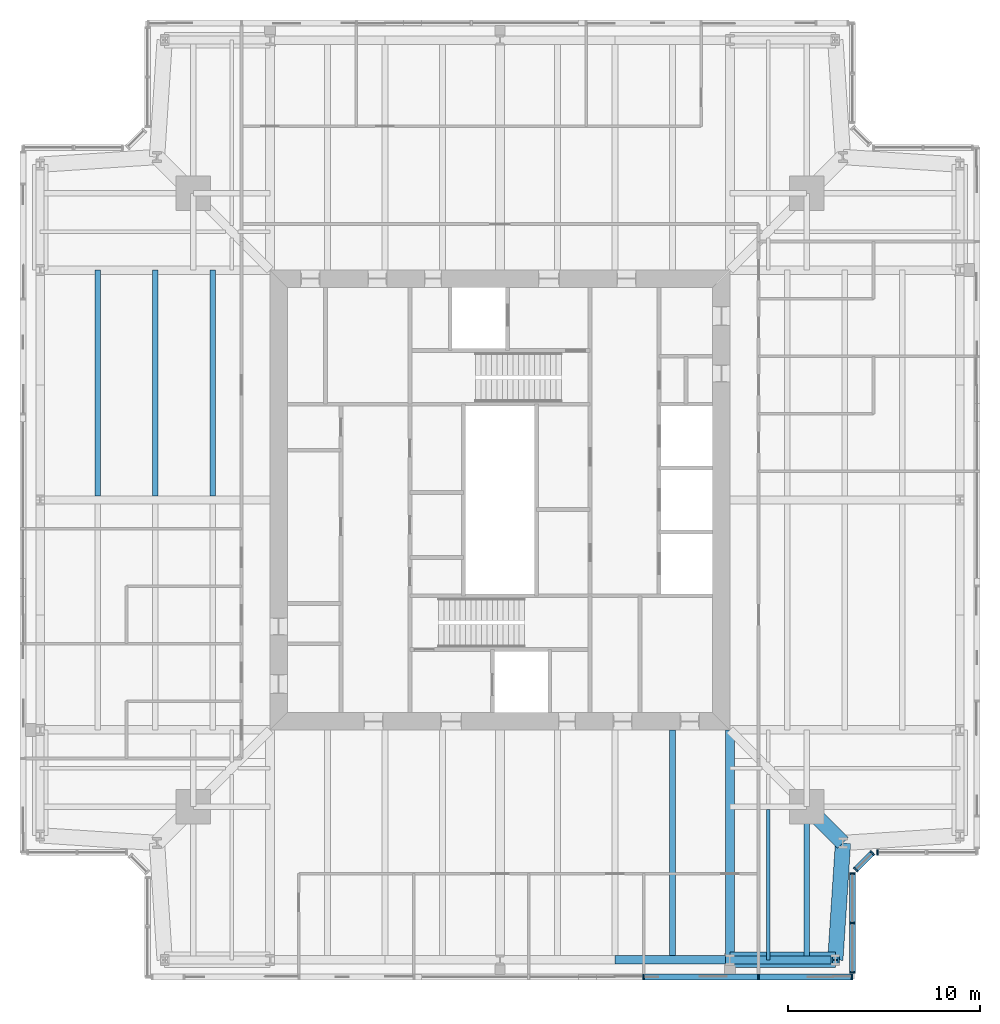
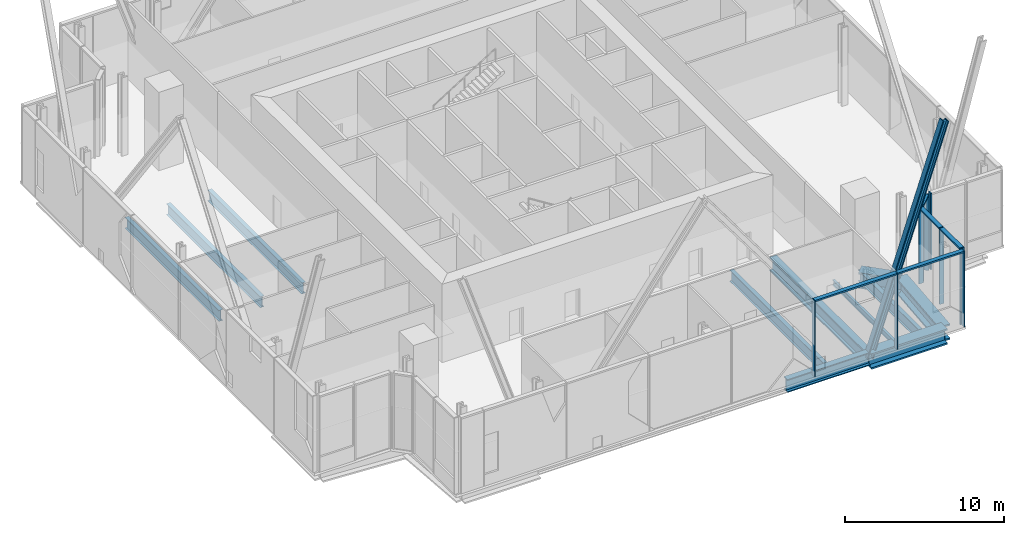
# One storey, part 3 of 20: 15 members, 11 beams, 4 elements without a shape of their own.
"""IFC4 building model written with IfcOpenShell, lengths in metres."""

from ifc_helpers import new_model, si_unit, direction, frame, origin, origin_2d, place, context, subcontext, project, spatial, rectangle, i_section, extrude, material, material_profile, profile_set, type_object, element, aggregate, save


model = new_model("IFC4")

# Units and contexts
model_context = context("Model", 3, precision=1e-05, world=origin(), true_north=direction((0.0, 1.0)))
body_context = subcontext(model_context, "Body", "Model", "MODEL_VIEW")
ifc_project = project(units=[si_unit("LENGTHUNIT", "METRE"), si_unit("AREAUNIT", "SQUARE_METRE"), si_unit("VOLUMEUNIT", "CUBIC_METRE"), si_unit("PLANEANGLEUNIT", "RADIAN"), si_unit("MASSUNIT", "GRAM", prefix="KILO")], contexts=[model_context])

# Site, building, storey
site_placement = place(None, origin())
site = spatial("IfcSite", under=ifc_project, at=site_placement, CompositionType="ELEMENT")
building_placement = place(site_placement, origin())
building = spatial("IfcBuilding", under=site, at=building_placement, Name="Fenwick Lantern Interchange", CompositionType="ELEMENT")
storey_placement = place(building_placement, frame((0.0, 0.0, 239.800048828125)))
storey = spatial("IfcBuildingStorey", under=building, at=storey_placement, Name="L56", CompositionType="ELEMENT", Elevation=239.800048828125)

# Member
ifc_material_1 = material(Name="Steel ASTM A992 Grade 50", Category="steel")
ifc_material_profile_1 = material_profile(ifc_material_1, i_section(OverallWidth=0.424072265625, OverallDepth=0.47509765625, WebThickness=0.0478515625, FlangeThickness=0.0771484375, at=origin_2d()), Name="W14X426")
ifc_profile_set_1 = profile_set([ifc_material_profile_1], Name="Steel ASTM A992 Grade 50")
member_type_1 = type_object("IfcMemberType", Name="FACADE BRACE W14X426", PredefinedType="BRACE", material=ifc_profile_set_1)
member_1_placement = place(storey_placement, frame((37.0, 1.0, -0.696533203125), z_axis=(0.31988030157, 0.0, 0.947457963536), x_axis=(0.0, 1.0, 0.0)))
element("IfcMember", 1, at=member_1_placement, inside=storey, type_object=member_type_1, Name="L56/FB/S/BE", PredefinedType="BRACE", context=body_context, shape_type="SweptSolid", body=[
    extrude(i_section(OverallWidth=0.424072265625, OverallDepth=0.47509765625, WebThickness=0.0478515625, FlangeThickness=0.0771484375, at=origin_2d()), origin(), (0.0, 0.0, 1.0), 17.19384765625),
])

# Beams
ifc_material_profile_2 = material_profile(ifc_material_1, i_section(OverallWidth=0.2919921875, OverallDepth=0.845703125, WebThickness=0.015380859375, FlangeThickness=0.0244140625, at=origin_2d()), Name="W33X141")
ifc_profile_set_2 = profile_set([ifc_material_profile_2], Name="Steel ASTM A992 Grade 50")
beam_type_1 = type_object("IfcBeamType", Name="FLOOR BEAM W33X141", PredefinedType="BEAM", material=ifc_profile_set_2)
beam_1_placement = place(storey_placement, frame((34.0, 1.0, -0.623046875), z_axis=(0.0, 1.0, 0.0), x_axis=(-1.0, 0.0, 0.0)))
element("IfcBeam", 2, at=beam_1_placement, inside=storey, type_object=beam_type_1, Name="L56/FR/S/R08", PredefinedType="BEAM", context=body_context, shape_type="SweptSolid", body=[
    extrude(i_section(OverallWidth=0.2919921875, OverallDepth=0.845703125, WebThickness=0.015380859375, FlangeThickness=0.0244140625, at=origin_2d()), origin(), (0.0, 0.0, 1.0), 12.0),
])
for number, where, z_axis, x_axis, name in (
    (3, (4.0, 37.0, -0.623046875), (0.0, -1.0, 0.0), (1.0, 0.0, 0.0), "L56/FR/W/B01"),
    (4, (7.0, 37.0, -0.623046875), (0.0, -1.0, 0.0), (1.0, 0.0, 0.0), "L56/FR/W/B02"),
    (5, (10.0, 37.0, -0.623046875), (0.0, -1.0, 0.0), (1.0, 0.0, 0.0), "L56/FR/W/B03"),
):
    element("IfcBeam", number, at=place(storey_placement, frame(where, z_axis=z_axis, x_axis=x_axis)), inside=storey, type_object=beam_type_1, Name=name, PredefinedType="BEAM", context=body_context, shape_type="SweptSolid", body=[
        extrude(i_section(OverallWidth=0.2919921875, OverallDepth=0.845703125, WebThickness=0.015380859375, FlangeThickness=0.0244140625, at=origin_2d()), origin(), (0.0, 0.0, 1.0), 11.79541015625),
    ])
ifc_material_profile_3 = material_profile(ifc_material_1, i_section(OverallWidth=0.177734375, OverallDepth=0.406494140625, WebThickness=0.0078125, FlangeThickness=0.012939453125, at=origin_2d()), Name="W16X40")
ifc_profile_set_3 = profile_set([ifc_material_profile_3], Name="Steel ASTM A992 Grade 50")
beam_type_2 = type_object("IfcBeamType", Name="INFILL BEAM W16X40", PredefinedType="JOIST", material=ifc_profile_set_3)
beam_2_placement = place(storey_placement, frame((39.0, 1.0, -0.4033203125), z_axis=(0.0, 1.0, 0.0), x_axis=(-1.0, 0.0, 0.0)))
element("IfcBeam", 6, at=beam_2_placement, inside=storey, type_object=beam_type_2, Name="L56/FR/E/J3", PredefinedType="JOIST", context=body_context, shape_type="SweptSolid", body=[
    extrude(i_section(OverallWidth=0.177734375, OverallDepth=0.406494140625, WebThickness=0.0078125, FlangeThickness=0.012939453125, at=origin_2d()), origin(), (0.0, 0.0, 1.0), 7.85400390625),
])
ifc_material_profile_4 = material_profile(ifc_material_1, i_section(OverallWidth=0.2919921875, OverallDepth=0.845703125, WebThickness=0.015380859375, FlangeThickness=0.0244140625, at=origin_2d()), Name="W33X141")
ifc_profile_set_4 = profile_set([ifc_material_profile_4], Name="Steel ASTM A992 Grade 50")
beam_type_3 = type_object("IfcBeamType", Name="MEGA COLUMN BEAM W33X141", PredefinedType="BEAM", material=ifc_profile_set_4)
beam_3_placement = place(storey_placement, frame((41.0, 9.0, -0.623046875), z_axis=(0.0, -1.0, 0.0), x_axis=(1.0, 0.0, 0.0)))
element("IfcBeam", 7, at=beam_3_placement, inside=storey, type_object=beam_type_3, Name="L56/FR/E/MB2", PredefinedType="BEAM", context=body_context, shape_type="SweptSolid", body=[
    extrude(i_section(OverallWidth=0.2919921875, OverallDepth=0.845703125, WebThickness=0.015380859375, FlangeThickness=0.0244140625, at=origin_2d()), origin(), (0.0, 0.0, 1.0), 8.0),
])
ifc_material_profile_5 = material_profile(ifc_material_1, i_section(OverallWidth=0.472412109375, OverallDepth=1.0947265625, WebThickness=0.07666015625, FlangeThickness=0.114990234375, at=origin_2d()), Name="W36X925")
ifc_profile_set_5 = profile_set([ifc_material_profile_5], Name="Steel ASTM A992 Grade 50")
beam_type_4 = type_object("IfcBeamType", Name="MOMENT-CONNECTED GIRDER W36X925", PredefinedType="BEAM", material=ifc_profile_set_5)
beam_4_placement = place(storey_placement, frame((37.0, 1.0, -0.747314453125), z_axis=(0.0, 1.0, 0.0), x_axis=(-1.0, 0.0, 0.0)))
element("IfcBeam", 8, at=beam_4_placement, inside=storey, type_object=beam_type_4, Name="L56/FR/S/R09", PredefinedType="BEAM", context=body_context, shape_type="SweptSolid", body=[
    extrude(i_section(OverallWidth=0.472412109375, OverallDepth=1.0947265625, WebThickness=0.07666015625, FlangeThickness=0.114990234375, at=origin_2d()), origin(), (0.0, 0.0, 1.0), 12.0),
])
ifc_material_2 = material(Name="Steel ASTM A572 Grade 42", Category="steel")
ifc_material_profile_6 = material_profile(ifc_material_2, i_section(OverallWidth=0.800048828125, OverallDepth=1.199951171875, WebThickness=0.06005859375, FlangeThickness=0.1201171875, at=origin_2d()), Name="BU1200X800")
ifc_profile_set_6 = profile_set([ifc_material_profile_6], Name="Steel ASTM A572 Grade 42")
beam_type_5 = type_object("IfcBeamType", Name="MOMENT-CONNECTED TRANSFER GIRDER BU1200X800", PredefinedType="BEAM", material=ifc_profile_set_6)
beam_5_placement = place(storey_placement, frame((37.0, 1.0, -0.800048828125), z_axis=(1.0, 0.0, 0.0), x_axis=(0.0, 1.0, 0.0)))
element("IfcBeam", 9, at=beam_5_placement, inside=storey, type_object=beam_type_5, Name="L56/FR/S/EB6", PredefinedType="BEAM", context=body_context, shape_type="SweptSolid", body=[
    extrude(i_section(OverallWidth=0.800048828125, OverallDepth=1.199951171875, WebThickness=0.06005859375, FlangeThickness=0.1201171875, at=origin_2d()), origin(), (0.0, 0.0, 1.0), 5.5),
])
beam_6_placement = place(storey_placement, frame((42.5, 1.0, -0.800048828125), z_axis=(0.065416293237, 0.997858060337, 0.0), x_axis=(-0.997858060337, 0.065416293237, 0.0)))
element("IfcBeam", 10, at=beam_6_placement, inside=storey, type_object=beam_type_5, Name="L56/FR/S/EBR1", PredefinedType="BEAM", context=body_context, shape_type="SweptSolid", body=[
    extrude(i_section(OverallWidth=0.800048828125, OverallDepth=1.199951171875, WebThickness=0.06005859375, FlangeThickness=0.1201171875, at=origin_2d()), origin(), (0.0, 0.0, 1.0), 6.11328125),
])
beam_7_placement = place(storey_placement, frame((41.0, 9.0, -0.800048828125), z_axis=(0.707106781187, -0.707106781187, 0.0), x_axis=(0.707106781187, 0.707106781187, 0.0)))
element("IfcBeam", 11, at=beam_7_placement, inside=storey, type_object=beam_type_5, Name="L56/FR/E/TG", PredefinedType="BEAM", context=body_context, shape_type="SweptSolid", body=[
    extrude(i_section(OverallWidth=0.800048828125, OverallDepth=1.199951171875, WebThickness=0.06005859375, FlangeThickness=0.1201171875, at=origin_2d()), origin(), (0.0, 0.0, 1.0), 2.686767578125),
])

# Curtain wall, members
ifc_material_3 = material(Name="Aluminium curtain wall frame", Category="aluminium")
curtain_wall_type = type_object("IfcCurtainWallType", Name="SKY LOBBY GLAZING", PredefinedType="USERDEFINED", material=ifc_material_3)
curtain_wall_1_placement = place(storey_placement, origin())
curtain_wall_1 = element("IfcCurtainWall", 12, at=curtain_wall_1_placement, inside=storey, type_object=curtain_wall_type, Name="Sky lobby glazing 01", ObjectType="SKY LOBBY GLAZING", PredefinedType="USERDEFINED")
ifc_material_4 = material(Name="Aluminium extrusion", Category="aluminium")
ifc_material_profile_7 = material_profile(ifc_material_4, rectangle(XDim=0.300048828125, YDim=0.080078125, at=origin_2d()), Name="SKY LOBBY GLAZING MULLION 80 X 300")
ifc_profile_set_7 = profile_set([ifc_material_profile_7], Name="Aluminium extrusion")
member_type_2 = type_object("IfcMemberType", Name="SKY LOBBY GLAZING MULLION 80 X 300", PredefinedType="MULLION", material=ifc_profile_set_7)
member_2_placement = place(storey_placement, frame((32.5, 0.10009765625, 0.0), z_axis=(0.0, 0.0, 1.0), x_axis=(0.0, 1.0, 0.0)))
member_2 = element("IfcMember", 13, at=member_2_placement, type_object=member_type_2, Name="L56/CW/01/M05", PredefinedType="MULLION", context=body_context, shape_type="SweptSolid", body=[
    extrude(rectangle(XDim=0.300048828125, YDim=0.080078125, at=origin_2d()), origin(), (0.0, 0.0, 1.0), 5.849853515625),
])
member_3_placement = place(storey_placement, frame((38.5, 0.10009765625, 0.0), z_axis=(0.0, 0.0, 1.0), x_axis=(0.0, 1.0, 0.0)))
member_3 = element("IfcMember", 14, at=member_3_placement, type_object=member_type_2, Name="L56/CW/01/M06", PredefinedType="MULLION", context=body_context, shape_type="SweptSolid", body=[
    extrude(rectangle(XDim=0.300048828125, YDim=0.080078125, at=origin_2d()), origin(), (0.0, 0.0, 1.0), 5.849853515625),
])
member_4_placement = place(storey_placement, frame((43.360107421875, 0.10009765625, 0.0), z_axis=(0.0, 0.0, 1.0), x_axis=(0.0, 1.0, 0.0)))
member_4 = element("IfcMember", 15, at=member_4_placement, type_object=member_type_2, Name="L56/CW/01/M07", PredefinedType="MULLION", context=body_context, shape_type="SweptSolid", body=[
    extrude(rectangle(XDim=0.300048828125, YDim=0.080078125, at=origin_2d()), origin(), (0.0, 0.0, 1.0), 5.849853515625),
])

curtain_wall_2_placement = place(storey_placement, origin())
curtain_wall_2 = element("IfcCurtainWall", 16, at=curtain_wall_2_placement, inside=storey, type_object=curtain_wall_type, Name="Sky lobby glazing 02", ObjectType="SKY LOBBY GLAZING", PredefinedType="USERDEFINED")
member_5_placement = place(storey_placement, frame((43.39990234375, 0.340087890625, 0.0), z_axis=(0.0, 0.0, 1.0), x_axis=(-1.0, 0.0, 0.0)))
member_5 = element("IfcMember", 17, at=member_5_placement, type_object=member_type_2, Name="L56/CW/02/M00", PredefinedType="MULLION", context=body_context, shape_type="SweptSolid", body=[
    extrude(rectangle(XDim=0.300048828125, YDim=0.080078125, at=origin_2d()), origin(), (0.0, 0.0, 1.0), 5.849853515625),
])
member_6_placement = place(storey_placement, frame((43.39990234375, 2.920654296875, 0.0), z_axis=(0.0, 0.0, 1.0), x_axis=(-1.0, 0.0, 0.0)))
member_6 = element("IfcMember", 18, at=member_6_placement, type_object=member_type_2, Name="L56/CW/02/M01", PredefinedType="MULLION", context=body_context, shape_type="SweptSolid", body=[
    extrude(rectangle(XDim=0.300048828125, YDim=0.080078125, at=origin_2d()), origin(), (0.0, 0.0, 1.0), 5.849853515625),
])
member_7_placement = place(storey_placement, frame((43.39990234375, 5.50146484375, 0.0), z_axis=(0.0, 0.0, 1.0), x_axis=(-1.0, 0.0, 0.0)))
member_7 = element("IfcMember", 19, at=member_7_placement, type_object=member_type_2, Name="L56/CW/02/M02", PredefinedType="MULLION", context=body_context, shape_type="SweptSolid", body=[
    extrude(rectangle(XDim=0.300048828125, YDim=0.080078125, at=origin_2d()), origin(), (0.0, 0.0, 1.0), 5.849853515625),
])

curtain_wall_3_placement = place(storey_placement, origin())
curtain_wall_3 = element("IfcCurtainWall", 20, at=curtain_wall_3_placement, inside=storey, type_object=curtain_wall_type, Name="Sky lobby glazing 03", ObjectType="SKY LOBBY GLAZING", PredefinedType="USERDEFINED")
member_8_placement = place(storey_placement, frame((43.56982421875, 5.711181640625, 0.0), z_axis=(0.0, 0.0, 1.0), x_axis=(-0.707106781187, 0.707106781187, 0.0)))
member_8 = element("IfcMember", 21, at=member_8_placement, type_object=member_type_2, Name="L56/CW/03/M00", PredefinedType="MULLION", context=body_context, shape_type="SweptSolid", body=[
    extrude(rectangle(XDim=0.300048828125, YDim=0.080078125, at=origin_2d()), origin(), (0.0, 0.0, 1.0), 5.849853515625),
])
member_9_placement = place(storey_placement, frame((44.43017578125, 6.57177734375, 0.0), z_axis=(0.0, 0.0, 1.0), x_axis=(-0.707106781187, 0.707106781187, 0.0)))
member_9 = element("IfcMember", 22, at=member_9_placement, type_object=member_type_2, Name="L56/CW/03/M01", PredefinedType="MULLION", context=body_context, shape_type="SweptSolid", body=[
    extrude(rectangle(XDim=0.300048828125, YDim=0.080078125, at=origin_2d()), origin(), (0.0, 0.0, 1.0), 5.849853515625),
])

# Curtain wall, member
curtain_wall_4_placement = place(storey_placement, origin())
curtain_wall_4 = element("IfcCurtainWall", 23, at=curtain_wall_4_placement, inside=storey, type_object=curtain_wall_type, Name="Sky lobby glazing 04", ObjectType="SKY LOBBY GLAZING", PredefinedType="USERDEFINED")
member_10_placement = place(storey_placement, frame((44.698486328125, 6.60009765625, 0.0), z_axis=(0.0, 0.0, 1.0), x_axis=(0.0, 1.0, 0.0)))
member_10 = element("IfcMember", 24, at=member_10_placement, type_object=member_type_2, Name="L56/CW/04/M00", PredefinedType="MULLION", context=body_context, shape_type="SweptSolid", body=[
    extrude(rectangle(XDim=0.300048828125, YDim=0.080078125, at=origin_2d()), origin(), (0.0, 0.0, 1.0), 5.849853515625),
])
aggregate(curtain_wall_4, [member_10])

# Member
ifc_material_profile_8 = material_profile(ifc_material_4, rectangle(XDim=0.300048828125, YDim=0.1201171875, at=origin_2d()), Name="SKY LOBBY GLAZING TRANSOM 120 X 300")
ifc_profile_set_8 = profile_set([ifc_material_profile_8], Name="Aluminium extrusion")
member_type_3 = type_object("IfcMemberType", Name="SKY LOBBY GLAZING TRANSOM 120 X 300", PredefinedType="MULLION", material=ifc_profile_set_8)
member_11_placement = place(storey_placement, frame((32.5400390625, 0.10009765625, 5.7900390625), z_axis=(1.0, 0.0, 0.0), x_axis=(0.0, 1.0, 0.0)))
member_11 = element("IfcMember", 25, at=member_11_placement, type_object=member_type_3, Name="L56/CW/01/T05", PredefinedType="MULLION", context=body_context, shape_type="SweptSolid", body=[
    extrude(rectangle(XDim=0.300048828125, YDim=0.1201171875, at=origin_2d()), origin(), (0.0, 0.0, 1.0), 5.919921875),
])

member_12_placement = place(storey_placement, frame((38.5400390625, 0.10009765625, 5.7900390625), z_axis=(1.0, 0.0, 0.0), x_axis=(0.0, 1.0, 0.0)))
member_12 = element("IfcMember", 26, at=member_12_placement, type_object=member_type_3, Name="L56/CW/01/T06", PredefinedType="MULLION", context=body_context, shape_type="SweptSolid", body=[
    extrude(rectangle(XDim=0.300048828125, YDim=0.1201171875, at=origin_2d()), origin(), (0.0, 0.0, 1.0), 4.780029296875),
])

aggregate(curtain_wall_1, [member_2, member_3, member_4, member_11, member_12])

member_13_placement = place(storey_placement, frame((43.39990234375, 0.3798828125, 5.7900390625), z_axis=(0.0, 1.0, 0.0), x_axis=(-1.0, 0.0, 0.0)))
member_13 = element("IfcMember", 27, at=member_13_placement, type_object=member_type_3, Name="L56/CW/02/T00", PredefinedType="MULLION", context=body_context, shape_type="SweptSolid", body=[
    extrude(rectangle(XDim=0.300048828125, YDim=0.1201171875, at=origin_2d()), origin(), (0.0, 0.0, 1.0), 2.500732421875),
])

member_14_placement = place(storey_placement, frame((43.39990234375, 2.960693359375, 5.7900390625), z_axis=(0.0, 1.0, 0.0), x_axis=(-1.0, 0.0, 0.0)))
member_14 = element("IfcMember", 28, at=member_14_placement, type_object=member_type_3, Name="L56/CW/02/T01", PredefinedType="MULLION", context=body_context, shape_type="SweptSolid", body=[
    extrude(rectangle(XDim=0.300048828125, YDim=0.1201171875, at=origin_2d()), origin(), (0.0, 0.0, 1.0), 2.500732421875),
])

aggregate(curtain_wall_2, [member_5, member_6, member_7, member_13, member_14])

member_15_placement = place(storey_placement, frame((43.597900390625, 5.739501953125, 5.7900390625), z_axis=(0.707214121873, 0.706999424203, 0.0), x_axis=(-0.706999424203, 0.707214121873, 0.0)))
member_15 = element("IfcMember", 29, at=member_15_placement, type_object=member_type_3, Name="L56/CW/03/T00", PredefinedType="MULLION", context=body_context, shape_type="SweptSolid", body=[
    extrude(rectangle(XDim=0.300048828125, YDim=0.1201171875, at=origin_2d()), origin(), (0.0, 0.0, 1.0), 1.13720703125),
])

aggregate(curtain_wall_3, [member_8, member_9, member_15])

# Beam
ifc_material_profile_9 = material_profile(ifc_material_1, i_section(OverallWidth=0.434326171875, OverallDepth=0.9931640625, WebThickness=0.0380859375, FlangeThickness=0.06396484375, at=origin_2d()), Name="W36X487")
ifc_profile_set_9 = profile_set([ifc_material_profile_9], Name="Steel ASTM A992 Grade 50")
beam_type_6 = type_object("IfcBeamType", Name="TRUSS CHORD EDGE BEAM W36X487", PredefinedType="BEAM", material=ifc_profile_set_9)
beam_8_placement = place(storey_placement, frame((31.0, 1.0, -0.696533203125), z_axis=(1.0, 0.0, 0.0), x_axis=(0.0, 1.0, 0.0)))
element("IfcBeam", 30, at=beam_8_placement, inside=storey, type_object=beam_type_6, Name="L56/FR/S/EB5", PredefinedType="BEAM", context=body_context, shape_type="SweptSolid", body=[
    extrude(i_section(OverallWidth=0.434326171875, OverallDepth=0.9931640625, WebThickness=0.0380859375, FlangeThickness=0.06396484375, at=origin_2d()), origin(), (0.0, 0.0, 1.0), 6.0),
])

save(model, "model.ifc")
